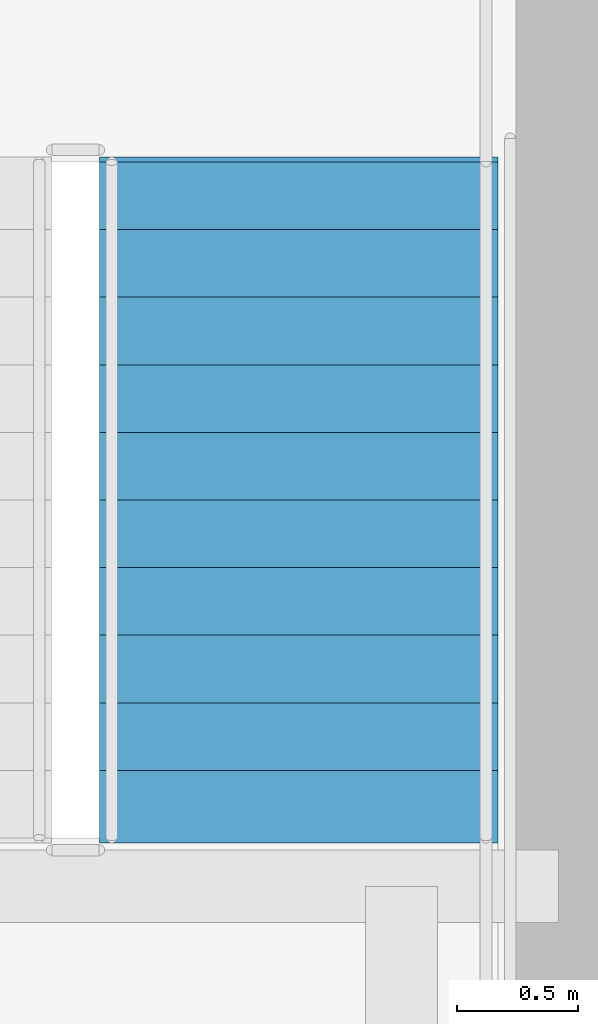
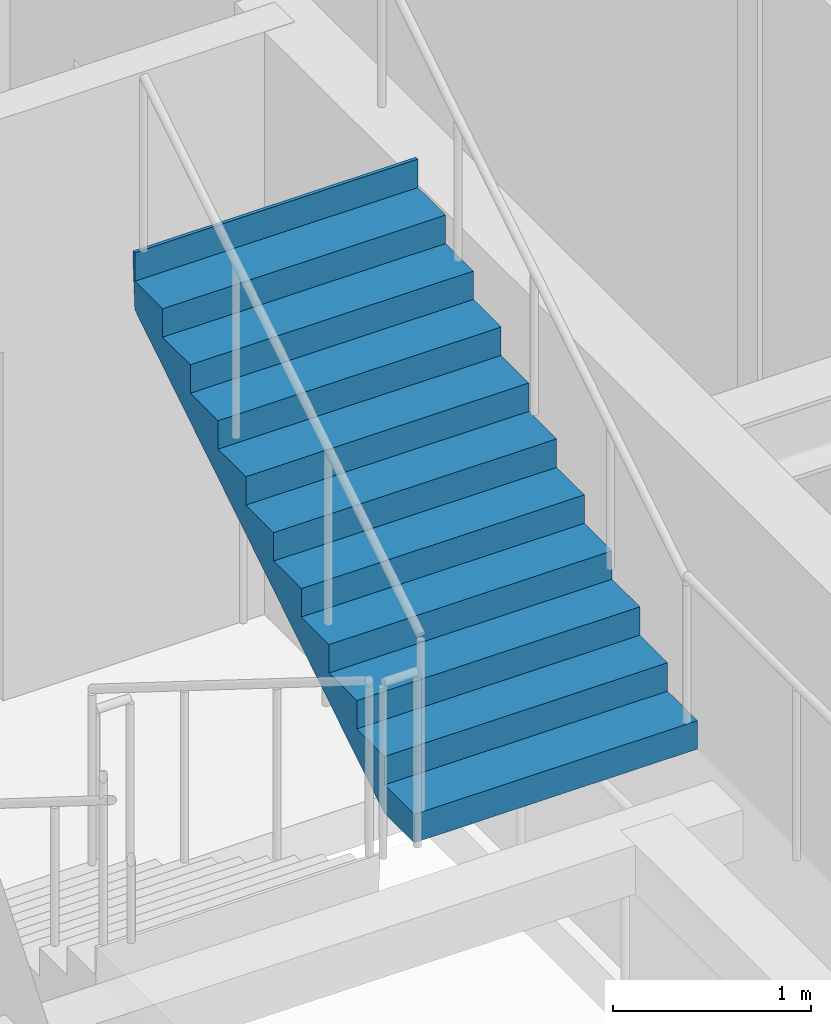
# One storey, part 33 of 38: 1 stair flight, 1 element without a shape of its own.
"""IFC4 building model written with IfcOpenShell, lengths in metres."""

from ifc_helpers import new_model, si_unit, direction, frame, origin, place, context, subcontext, project, spatial, polygons, material, type_object, element, aggregate, save


model = new_model("IFC4")

# Units and contexts
model_context = context("Model", 3, precision=1e-05, world=origin(), true_north=direction((0.0, 1.0)))
body_context = subcontext(model_context, "Body", "Model", "MODEL_VIEW")
ifc_project = project(units=[si_unit("LENGTHUNIT", "METRE"), si_unit("AREAUNIT", "SQUARE_METRE"), si_unit("VOLUMEUNIT", "CUBIC_METRE"), si_unit("PLANEANGLEUNIT", "RADIAN"), si_unit("MASSUNIT", "GRAM", prefix="KILO")], contexts=[model_context])

# Site, building, storey
site_placement = place(None, origin())
site = spatial("IfcSite", under=ifc_project, at=site_placement, CompositionType="ELEMENT")
building_placement = place(site_placement, origin())
building = spatial("IfcBuilding", under=site, at=building_placement, Name="Serunith Strait Residences", CompositionType="ELEMENT")
storey_placement = place(building_placement, frame((0.0, 0.0, 237.39990234375)))
storey = spatial("IfcBuildingStorey", under=building, at=storey_placement, Name="L59", CompositionType="ELEMENT", Elevation=237.39990234375)

# Stair, stair flight
ifc_material = material(Name="Concrete C50/60", Category="concrete")
stair_type = type_object("IfcStairType", Name="STR-CORE-2", PredefinedType="HALF_TURN_STAIR", material=ifc_material)
stair_placement = place(storey_placement, origin())
stair = element("IfcStair", 1, at=stair_placement, inside=storey, type_object=stair_type, Name="L59 Protected Escape Stair ST-2", PredefinedType="HALF_TURN_STAIR")
stair_flight_type = type_object("IfcStairFlightType", Name="FLT-CORE-2", PredefinedType="STRAIGHT", material=ifc_material)
stair_flight_placement = place(storey_placement, frame((40.324951171875, 20.570068359375, 1.925048828125), z_axis=(0.0, 0.0, 1.0), x_axis=(0.0, 1.0, 0.0)))
stair_flight = element("IfcStairFlight", 2, at=stair_flight_placement, type_object=stair_flight_type, Name="ST-2 flight 2", NumberOfRisers=11, NumberOfTreads=10, PredefinedType="STRAIGHT", RiserHeight=0.175, TreadLength=0.28, context=body_context, shape_type="Tessellation", body=[
    polygons([(-0.02001953125, -0.824951171875, 0.0), (-0.02001953125, -0.824951171875, 0.175048828125), (0.280029296875, -0.824951171875, 0.175048828125), (0.280029296875, -0.824951171875, 0.35009765625), (0.56005859375, -0.824951171875, 0.35009765625), (0.56005859375, -0.824951171875, 0.52490234375), (0.840087890625, -0.824951171875, 0.52490234375), (0.840087890625, -0.824951171875, 0.699951171875), (1.1201171875, -0.824951171875, 0.699951171875), (1.1201171875, -0.824951171875, 0.875), (1.39990234375, -0.824951171875, 0.875), (1.39990234375, -0.824951171875, 1.050048828125), (1.679931640625, -0.824951171875, 1.050048828125), (1.679931640625, -0.824951171875, 1.22509765625), (1.9599609375, -0.824951171875, 1.22509765625), (1.9599609375, -0.824951171875, 1.39990234375), (2.239990234375, -0.824951171875, 1.39990234375), (2.239990234375, -0.824951171875, 1.574951171875), (2.52001953125, -0.824951171875, 1.574951171875), (2.52001953125, -0.824951171875, 1.75), (2.800048828125, -0.824951171875, 1.75), (2.800048828125, -0.824951171875, 1.925048828125), (2.820068359375, -0.824951171875, 1.925048828125), (2.820068359375, -0.824951171875, 1.864990234375), (2.800048828125, -0.824951171875, 1.5732421875), (0.28271484375, -0.824951171875, 0.0), (-0.02001953125, -0.41259765625, 0.0), (-0.02001953125, -0.41259765625, 0.175048828125), (0.280029296875, -0.41259765625, 0.175048828125), (0.280029296875, -0.41259765625, 0.35009765625), (0.56005859375, -0.41259765625, 0.35009765625), (0.56005859375, -0.41259765625, 0.52490234375), (0.840087890625, -0.41259765625, 0.52490234375), (0.840087890625, -0.41259765625, 0.699951171875), (1.1201171875, -0.41259765625, 0.699951171875), (1.1201171875, -0.41259765625, 0.875), (1.39990234375, -0.41259765625, 0.875), (1.39990234375, -0.41259765625, 1.050048828125), (1.679931640625, -0.41259765625, 1.050048828125), (1.679931640625, -0.41259765625, 1.22509765625), (1.9599609375, -0.41259765625, 1.22509765625), (1.9599609375, -0.41259765625, 1.39990234375), (2.239990234375, -0.41259765625, 1.39990234375), (2.239990234375, -0.41259765625, 1.574951171875), (2.52001953125, -0.41259765625, 1.574951171875), (2.52001953125, -0.41259765625, 1.75), (2.800048828125, -0.41259765625, 1.75), (2.800048828125, -0.41259765625, 1.925048828125), (2.820068359375, -0.41259765625, 1.925048828125), (2.820068359375, -0.41259765625, 1.864990234375), (2.800048828125, -0.41259765625, 1.5732421875), (0.28271484375, -0.41259765625, 0.0), (-0.02001953125, 0.0, 0.0), (-0.02001953125, 0.0, 0.175048828125), (0.280029296875, 0.0, 0.175048828125), (0.280029296875, 0.0, 0.35009765625), (0.56005859375, 0.0, 0.35009765625), (0.56005859375, 0.0, 0.52490234375), (0.840087890625, 0.0, 0.52490234375), (0.840087890625, 0.0, 0.699951171875), (1.1201171875, 0.0, 0.699951171875), (1.1201171875, 0.0, 0.875), (1.39990234375, 0.0, 0.875), (1.39990234375, 0.0, 1.050048828125), (1.679931640625, 0.0, 1.050048828125), (1.679931640625, 0.0, 1.22509765625), (1.9599609375, 0.0, 1.22509765625), (1.9599609375, 0.0, 1.39990234375), (2.239990234375, 0.0, 1.39990234375), (2.239990234375, 0.0, 1.574951171875), (2.52001953125, 0.0, 1.574951171875), (2.52001953125, 0.0, 1.75), (2.800048828125, 0.0, 1.75), (2.800048828125, 0.0, 1.925048828125), (2.820068359375, 0.0, 1.925048828125), (2.820068359375, 0.0, 1.864990234375), (2.800048828125, 0.0, 1.5732421875), (0.28271484375, 0.0, 0.0), (-0.02001953125, 0.41259765625, 0.0), (-0.02001953125, 0.41259765625, 0.175048828125), (0.280029296875, 0.41259765625, 0.175048828125), (0.280029296875, 0.41259765625, 0.35009765625), (0.56005859375, 0.41259765625, 0.35009765625), (0.56005859375, 0.41259765625, 0.52490234375), (0.840087890625, 0.41259765625, 0.52490234375), (0.840087890625, 0.41259765625, 0.699951171875), (1.1201171875, 0.41259765625, 0.699951171875), (1.1201171875, 0.41259765625, 0.875), (1.39990234375, 0.41259765625, 0.875), (1.39990234375, 0.41259765625, 1.050048828125), (1.679931640625, 0.41259765625, 1.050048828125), (1.679931640625, 0.41259765625, 1.22509765625), (1.9599609375, 0.41259765625, 1.22509765625), (1.9599609375, 0.41259765625, 1.39990234375), (2.239990234375, 0.41259765625, 1.39990234375), (2.239990234375, 0.41259765625, 1.574951171875), (2.52001953125, 0.41259765625, 1.574951171875), (2.52001953125, 0.41259765625, 1.75), (2.800048828125, 0.41259765625, 1.75), (2.800048828125, 0.41259765625, 1.925048828125), (2.820068359375, 0.41259765625, 1.925048828125), (2.820068359375, 0.41259765625, 1.864990234375), (2.800048828125, 0.41259765625, 1.5732421875), (0.28271484375, 0.41259765625, 0.0), (-0.02001953125, 0.824951171875, 0.0), (-0.02001953125, 0.824951171875, 0.175048828125), (0.280029296875, 0.824951171875, 0.175048828125), (0.280029296875, 0.824951171875, 0.35009765625), (0.56005859375, 0.824951171875, 0.35009765625), (0.56005859375, 0.824951171875, 0.52490234375), (0.840087890625, 0.824951171875, 0.52490234375), (0.840087890625, 0.824951171875, 0.699951171875), (1.1201171875, 0.824951171875, 0.699951171875), (1.1201171875, 0.824951171875, 0.875), (1.39990234375, 0.824951171875, 0.875), (1.39990234375, 0.824951171875, 1.050048828125), (1.679931640625, 0.824951171875, 1.050048828125), (1.679931640625, 0.824951171875, 1.22509765625), (1.9599609375, 0.824951171875, 1.22509765625), (1.9599609375, 0.824951171875, 1.39990234375), (2.239990234375, 0.824951171875, 1.39990234375), (2.239990234375, 0.824951171875, 1.574951171875), (2.52001953125, 0.824951171875, 1.574951171875), (2.52001953125, 0.824951171875, 1.75), (2.800048828125, 0.824951171875, 1.75), (2.800048828125, 0.824951171875, 1.925048828125), (2.820068359375, 0.824951171875, 1.925048828125), (2.820068359375, 0.824951171875, 1.864990234375), (2.800048828125, 0.824951171875, 1.5732421875), (0.28271484375, 0.824951171875, 0.0)], [[[1, 2, 28, 27]], [[2, 3, 29, 28]], [[3, 4, 30, 29]], [[4, 5, 31, 30]], [[5, 6, 32, 31]], [[6, 7, 33, 32]], [[7, 8, 34, 33]], [[8, 9, 35, 34]], [[9, 10, 36, 35]], [[10, 11, 37, 36]], [[11, 12, 38, 37]], [[12, 13, 39, 38]], [[13, 14, 40, 39]], [[14, 15, 41, 40]], [[15, 16, 42, 41]], [[16, 17, 43, 42]], [[17, 18, 44, 43]], [[18, 19, 45, 44]], [[19, 20, 46, 45]], [[20, 21, 47, 46]], [[21, 22, 48, 47]], [[22, 23, 49, 48]], [[23, 24, 50, 49]], [[24, 25, 51, 50]], [[25, 26, 52, 51]], [[26, 1, 27, 52]], [[27, 28, 54, 53]], [[28, 29, 55, 54]], [[29, 30, 56, 55]], [[30, 31, 57, 56]], [[31, 32, 58, 57]], [[32, 33, 59, 58]], [[33, 34, 60, 59]], [[34, 35, 61, 60]], [[35, 36, 62, 61]], [[36, 37, 63, 62]], [[37, 38, 64, 63]], [[38, 39, 65, 64]], [[39, 40, 66, 65]], [[40, 41, 67, 66]], [[41, 42, 68, 67]], [[42, 43, 69, 68]], [[43, 44, 70, 69]], [[44, 45, 71, 70]], [[45, 46, 72, 71]], [[46, 47, 73, 72]], [[47, 48, 74, 73]], [[48, 49, 75, 74]], [[49, 50, 76, 75]], [[50, 51, 77, 76]], [[51, 52, 78, 77]], [[52, 27, 53, 78]], [[53, 54, 80, 79]], [[54, 55, 81, 80]], [[55, 56, 82, 81]], [[56, 57, 83, 82]], [[57, 58, 84, 83]], [[58, 59, 85, 84]], [[59, 60, 86, 85]], [[60, 61, 87, 86]], [[61, 62, 88, 87]], [[62, 63, 89, 88]], [[63, 64, 90, 89]], [[64, 65, 91, 90]], [[65, 66, 92, 91]], [[66, 67, 93, 92]], [[67, 68, 94, 93]], [[68, 69, 95, 94]], [[69, 70, 96, 95]], [[70, 71, 97, 96]], [[71, 72, 98, 97]], [[72, 73, 99, 98]], [[73, 74, 100, 99]], [[74, 75, 101, 100]], [[75, 76, 102, 101]], [[76, 77, 103, 102]], [[77, 78, 104, 103]], [[78, 53, 79, 104]], [[79, 80, 106, 105]], [[80, 81, 107, 106]], [[81, 82, 108, 107]], [[82, 83, 109, 108]], [[83, 84, 110, 109]], [[84, 85, 111, 110]], [[85, 86, 112, 111]], [[86, 87, 113, 112]], [[87, 88, 114, 113]], [[88, 89, 115, 114]], [[89, 90, 116, 115]], [[90, 91, 117, 116]], [[91, 92, 118, 117]], [[92, 93, 119, 118]], [[93, 94, 120, 119]], [[94, 95, 121, 120]], [[95, 96, 122, 121]], [[96, 97, 123, 122]], [[97, 98, 124, 123]], [[98, 99, 125, 124]], [[99, 100, 126, 125]], [[100, 101, 127, 126]], [[101, 102, 128, 127]], [[102, 103, 129, 128]], [[103, 104, 130, 129]], [[104, 79, 105, 130]], [[26, 25, 24, 23, 22, 21, 20, 19, 18, 17, 16, 15, 14, 13, 12, 11, 10, 9, 8, 7, 6, 5, 4, 3, 2, 1]], [[105, 106, 107, 108, 109, 110, 111, 112, 113, 114, 115, 116, 117, 118, 119, 120, 121, 122, 123, 124, 125, 126, 127, 128, 129, 130]]], closed=True),
])
aggregate(stair, [stair_flight])

save(model, "model.ifc")
